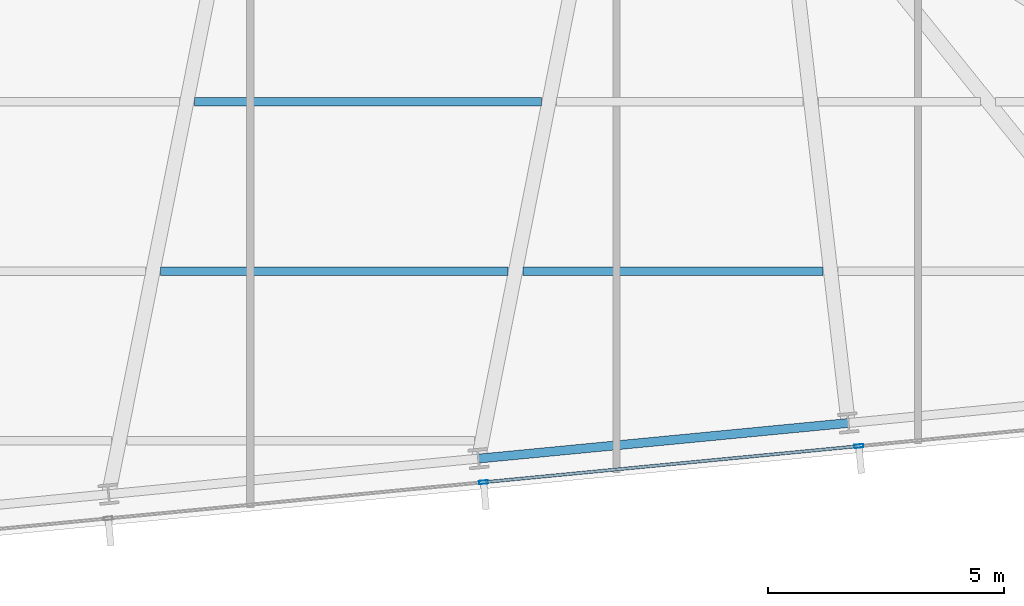
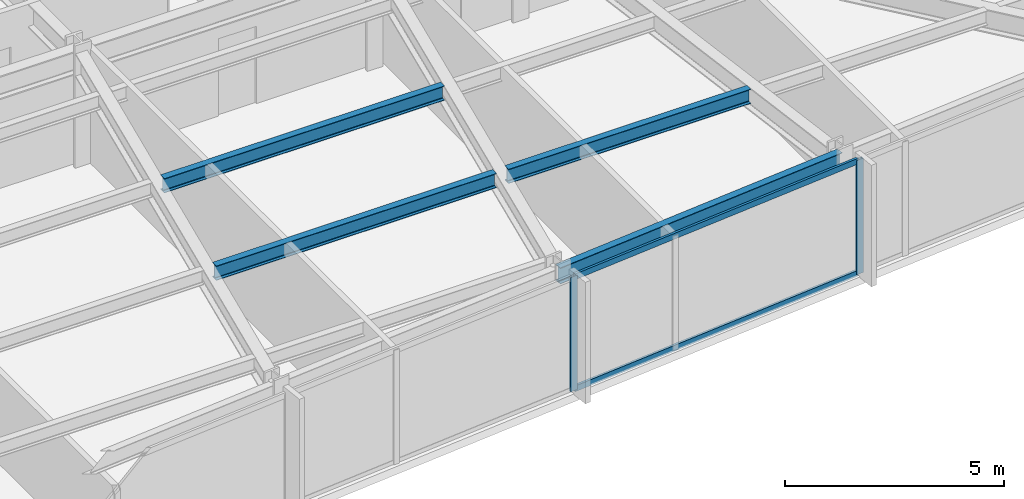
# One storey, part 10 of 32: 4 beams, 4 members, 1 element without a shape of its own.
"""IFC4 building model written with IfcOpenShell, lengths in metres."""

from ifc_helpers import new_model, si_unit, direction, frame, origin, origin_2d, place, context, subcontext, project, spatial, hollow_rectangle, i_section, extrude, material, material_profile, profile_set, type_object, element, aggregate, save


model = new_model("IFC4")

# Units and contexts
model_context = context("Model", 3, precision=1e-05, world=origin(), true_north=direction((0.0, 1.0)))
body_context = subcontext(model_context, "Body", "Model", "MODEL_VIEW")
ifc_project = project(units=[si_unit("LENGTHUNIT", "METRE"), si_unit("AREAUNIT", "SQUARE_METRE"), si_unit("VOLUMEUNIT", "CUBIC_METRE"), si_unit("PLANEANGLEUNIT", "RADIAN"), si_unit("MASSUNIT", "GRAM", prefix="KILO")], contexts=[model_context])

# Site, building, storey
site_placement = place(None, origin())
site = spatial("IfcSite", under=ifc_project, at=site_placement, CompositionType="ELEMENT")
building_placement = place(site_placement, origin())
building = spatial("IfcBuilding", under=site, at=building_placement, Name="Yelkora Congress Tower", CompositionType="ELEMENT")
storey_placement = place(building_placement, frame((0.0, 0.0, 93.10009765625)))
storey = spatial("IfcBuildingStorey", under=building, at=storey_placement, Name="L24", CompositionType="ELEMENT", Elevation=93.10009765625)

# Beams
ifc_material_1 = material(Name="Steel S355J2", Category="steel")
ifc_material_profile_1 = material_profile(ifc_material_1, i_section(OverallWidth=0.179931640625, OverallDepth=0.39990234375, WebThickness=0.008544921875, FlangeThickness=0.013427734375, FilletRadius=0.02099609375, at=origin_2d()), Name="IPE 400")
ifc_profile_set_1 = profile_set([ifc_material_profile_1], Name="Steel S355J2")
beam_type_1 = type_object("IfcBeamType", Name="BM-JOIST-IPE400", PredefinedType="JOIST", material=ifc_profile_set_1)
beam_1_placement = place(storey_placement, frame((44.436767578125, 16.144287109375, 2.97998046875), z_axis=(1.0, 0.0, 0.0), x_axis=(0.0, 1.0, 0.0)))
element("IfcBeam", 1, at=beam_1_placement, inside=storey, type_object=beam_type_1, Name="L24 Composite Floor Joist 7", PredefinedType="JOIST", context=body_context, shape_type="SweptSolid", body=[
    extrude(i_section(OverallWidth=0.179931640625, OverallDepth=0.39990234375, WebThickness=0.008544921875, FlangeThickness=0.013427734375, FilletRadius=0.02099609375, at=origin_2d()), origin(), (0.0, 0.0, 1.0), 7.373046875),
])
beam_2_placement = place(storey_placement, frame((52.1298828125, 16.144287109375, 2.97998046875), z_axis=(1.0, 0.0, 0.0), x_axis=(0.0, 1.0, 0.0)))
element("IfcBeam", 2, at=beam_2_placement, inside=storey, type_object=beam_type_1, Name="L24 Composite Floor Joist 8", PredefinedType="JOIST", context=body_context, shape_type="SweptSolid", body=[
    extrude(i_section(OverallWidth=0.179931640625, OverallDepth=0.39990234375, WebThickness=0.008544921875, FlangeThickness=0.013427734375, FilletRadius=0.02099609375, at=origin_2d()), origin(), (0.0, 0.0, 1.0), 6.3671875),
])
beam_3_placement = place(storey_placement, frame((45.153564453125, 19.744384765625, 2.97998046875), z_axis=(1.0, 0.0, 0.0), x_axis=(0.0, 1.0, 0.0)))
element("IfcBeam", 3, at=beam_3_placement, inside=storey, type_object=beam_type_1, Name="L24 Composite Floor Joist 14", PredefinedType="JOIST", context=body_context, shape_type="SweptSolid", body=[
    extrude(i_section(OverallWidth=0.179931640625, OverallDepth=0.39990234375, WebThickness=0.008544921875, FlangeThickness=0.013427734375, FilletRadius=0.02099609375, at=origin_2d()), origin(), (0.0, 0.0, 1.0), 7.367919921875),
])
ifc_material_profile_2 = material_profile(ifc_material_1, i_section(OverallWidth=0.18994140625, OverallDepth=0.449951171875, WebThickness=0.009521484375, FlangeThickness=0.0146484375, FilletRadius=0.02099609375, at=origin_2d()), Name="IPE 450")
ifc_profile_set_2 = profile_set([ifc_material_profile_2], Name="Steel S355J2")
beam_type_2 = type_object("IfcBeamType", Name="BM-SPAN-IPE450", PredefinedType="SPANDREL", material=ifc_profile_set_2)
beam_4_placement = place(storey_placement, frame((51.18359375, 12.16748046875, 2.954833984375), z_axis=(0.995395860104, 0.095849265454, 0.0), x_axis=(-0.095849265454, 0.995395860104, 0.0)))
element("IfcBeam", 4, at=beam_4_placement, inside=storey, type_object=beam_type_2, Name="L24 Perimeter Beam 7", PredefinedType="SPANDREL", context=body_context, shape_type="SweptSolid", body=[
    extrude(i_section(OverallWidth=0.18994140625, OverallDepth=0.449951171875, WebThickness=0.009521484375, FlangeThickness=0.0146484375, FilletRadius=0.02099609375, at=origin_2d()), origin(), (0.0, 0.0, 1.0), 7.885986328125),
])

# Curtain wall, members
ifc_material_2 = material(Name="Anodised aluminium and insulated glass", Category="aluminium")
curtain_wall_type = type_object("IfcCurtainWallType", Name="CW-SYS-B2", PredefinedType="NOTDEFINED", material=ifc_material_2)
curtain_wall_placement = place(storey_placement, origin())
curtain_wall = element("IfcCurtainWall", 5, at=curtain_wall_placement, inside=storey, type_object=curtain_wall_type, Name="L24 Unitised Curtain Wall 20", PredefinedType="NOTDEFINED")
ifc_material_3 = material(Name="Anodised aluminium 6063-T6", Category="aluminium")
ifc_material_profile_3 = material_profile(ifc_material_3, hollow_rectangle(XDim=0.070068359375, YDim=0.18994140625, WallThickness=0.00390625, at=origin_2d()), Name="ALU 70x190x4")
ifc_profile_set_3 = profile_set([ifc_material_profile_3], Name="Anodised aluminium 6063-T6")
member_type_1 = type_object("IfcMemberType", Name="MEM-ML-B2", PredefinedType="MULLION", material=ifc_profile_set_3)
member_1_placement = place(storey_placement, frame((59.2568359375, 12.4326171875, 0.0), z_axis=(0.0, 0.0, 1.0), x_axis=(0.095844345816, -0.995396333816, 0.0)))
member_1 = element("IfcMember", 6, at=member_1_placement, type_object=member_type_1, Name="CW-B2 mullion 3", PredefinedType="MULLION", context=body_context, shape_type="SweptSolid", body=[
    extrude(hollow_rectangle(XDim=0.070068359375, YDim=0.18994140625, WallThickness=0.00390625, at=origin_2d()), origin(), (0.0, 0.0, 1.0), 3.179931640625),
])
member_2_placement = place(storey_placement, frame((51.290771484375, 11.66552734375, 0.0), z_axis=(0.0, 0.0, 1.0), x_axis=(0.095844345816, -0.995396333816, 0.0)))
member_2 = element("IfcMember", 7, at=member_2_placement, type_object=member_type_1, Name="CW-B2 mullion 4", PredefinedType="MULLION", context=body_context, shape_type="SweptSolid", body=[
    extrude(hollow_rectangle(XDim=0.070068359375, YDim=0.18994140625, WallThickness=0.00390625, at=origin_2d()), origin(), (0.0, 0.0, 1.0), 3.179931640625),
])
ifc_material_profile_4 = material_profile(ifc_material_3, hollow_rectangle(XDim=0.06494140625, YDim=0.159912109375, WallThickness=0.00390625, at=origin_2d()), Name="ALU 65x160x4")
ifc_profile_set_4 = profile_set([ifc_material_profile_4], Name="Anodised aluminium 6063-T6")
member_type_2 = type_object("IfcMemberType", Name="MEM-TR-B2", PredefinedType="USERDEFINED", material=ifc_profile_set_4)
member_3_placement = place(storey_placement, frame((59.221923828125, 12.42919921875, 0.032470703125), z_axis=(-0.995397010735, -0.095837315383, 0.0), x_axis=(0.095837315383, -0.995397010735, 0.0)))
member_3 = element("IfcMember", 8, at=member_3_placement, type_object=member_type_2, Name="CW-B2 transom 3.1", ObjectType="TRANSOM", PredefinedType="USERDEFINED", context=body_context, shape_type="SweptSolid", body=[
    extrude(hollow_rectangle(XDim=0.06494140625, YDim=0.159912109375, WallThickness=0.00390625, at=origin_2d()), origin(), (0.0, 0.0, 1.0), 7.932861328125),
])
member_4_placement = place(storey_placement, frame((59.221923828125, 12.42919921875, 3.1474609375), z_axis=(-0.995397010735, -0.095837315383, 0.0), x_axis=(0.095837315383, -0.995397010735, 0.0)))
member_4 = element("IfcMember", 9, at=member_4_placement, type_object=member_type_2, Name="CW-B2 transom 3.2", ObjectType="TRANSOM", PredefinedType="USERDEFINED", context=body_context, shape_type="SweptSolid", body=[
    extrude(hollow_rectangle(XDim=0.06494140625, YDim=0.159912109375, WallThickness=0.00390625, at=origin_2d()), origin(), (0.0, 0.0, 1.0), 7.932861328125),
])
aggregate(curtain_wall, [member_1, member_2, member_3, member_4])

save(model, "model.ifc")
